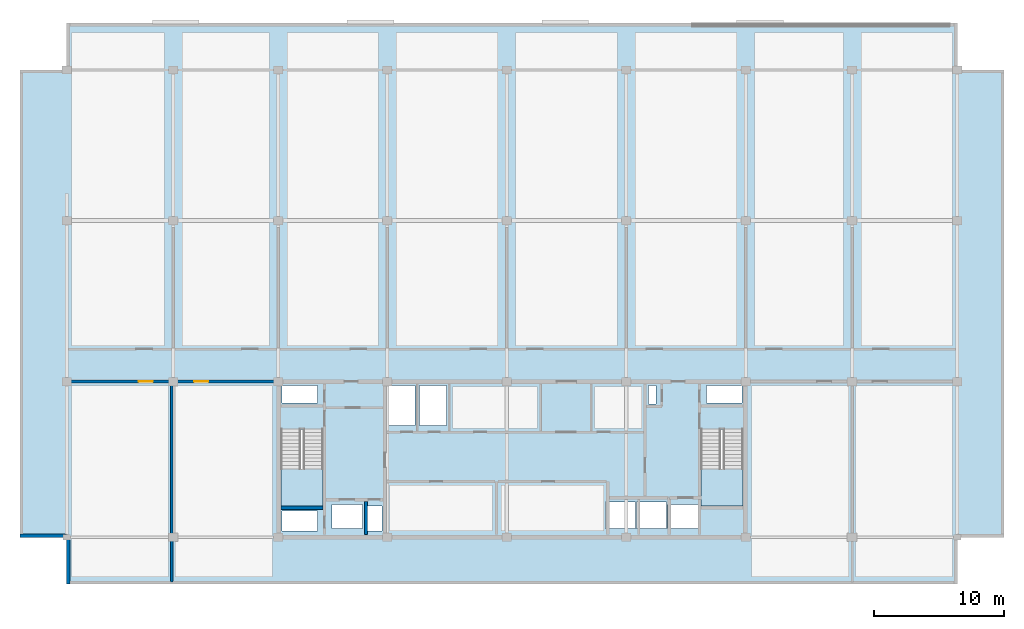
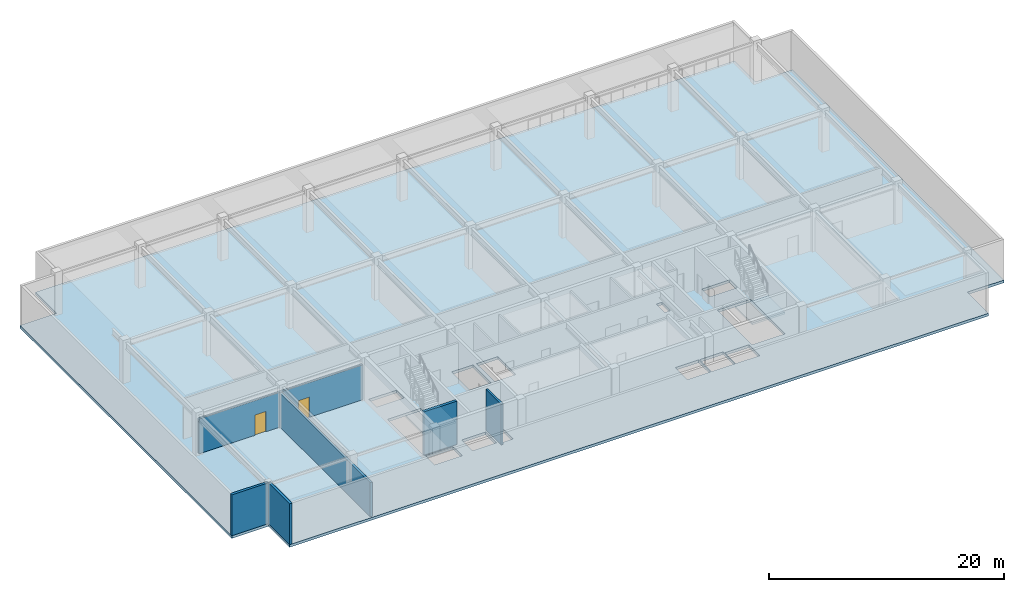
# One storey, part 2 of 9: 6 walls, 3 slabs, 2 doors, 2 openings, 2 elements without a shape of their own.
"""IFC4 building model written with IfcOpenShell, lengths in metres."""

from ifc_helpers import new_model, si_unit, direction, frame, frame_2d, origin, place, context, subcontext, project, spatial, polyline, rectangle, outline, extrude, material, layer, layer_set, type_object, element, fill, aggregate, save


model = new_model("IFC4")

# Units and contexts
model_context = context("Model", 3, precision=1e-05, world=origin(), true_north=direction((0.0, 1.0)))
body_context = subcontext(model_context, "Body", "Model", "MODEL_VIEW")
ifc_project = project(units=[si_unit("LENGTHUNIT", "METRE"), si_unit("AREAUNIT", "SQUARE_METRE"), si_unit("VOLUMEUNIT", "CUBIC_METRE"), si_unit("PLANEANGLEUNIT", "RADIAN"), si_unit("MASSUNIT", "GRAM", prefix="KILO")], contexts=[model_context])

# Site, building, storey
site_placement = place(None, origin())
site = spatial("IfcSite", under=ifc_project, at=site_placement, CompositionType="ELEMENT")
building_placement = place(site_placement, origin())
building = spatial("IfcBuilding", under=site, at=building_placement, Name="Korimba Cascade Residences", CompositionType="ELEMENT")
storey_placement = place(building_placement, frame((0.0, 0.0, 259.699951171875)))
storey = spatial("IfcBuildingStorey", under=building, at=storey_placement, Name="L75", CompositionType="ELEMENT", Elevation=259.699951171875)

# Stair, slab
ifc_material_1 = material(Name="Concrete C50/60", Category="concrete")
stair_type_1 = type_object("IfcStairType", Name="STR-W1-24R-1875", PredefinedType="HALF_TURN_STAIR", material=ifc_material_1)
stair_1_placement = place(storey_placement, origin())
stair_1 = element("IfcStair", 1, at=stair_1_placement, inside=storey, type_object=stair_type_1, Name="L75 Tower 1 West Fire Stair ST-W1", PredefinedType="HALF_TURN_STAIR")
ifc_layer_1 = layer(ifc_material_1, 0.199951171875)
ifc_layer_set_1 = layer_set([ifc_layer_1], Name="Concrete C50/60")
slab_type_1 = type_object("IfcSlabType", Name="SLB-LND-220", PredefinedType="LANDING", material=ifc_layer_set_1)
slab_1_placement = place(storey_placement, frame((0.0, 0.0, 2.050048828125)))
slab_1 = element("IfcSlab", 2, at=slab_1_placement, type_object=slab_type_1, Name="ST-W1 landing 1", PredefinedType="LANDING", context=body_context, shape_type="SweptSolid", body=[
    extrude(outline(polyline([(76.300048828125, 60.469970703125), (76.300048828125, 57.60009765625), (79.5400390625, 57.60009765625), (79.5400390625, 60.469970703125), (76.300048828125, 60.469970703125)])), origin(), (0.0, 0.0, 1.0), 0.199951171875),
])
aggregate(stair_1, [slab_1])

stair_type_2 = type_object("IfcStairType", Name="STR-W2-24R-1875", PredefinedType="HALF_TURN_STAIR", material=ifc_material_1)
stair_2_placement = place(storey_placement, origin())
stair_2 = element("IfcStair", 3, at=stair_2_placement, inside=storey, type_object=stair_type_2, Name="L75 Tower 1 East Fire Stair ST-W2", PredefinedType="HALF_TURN_STAIR")
slab_2_placement = place(storey_placement, frame((0.0, 0.0, 2.050048828125)))
slab_2 = element("IfcSlab", 4, at=slab_2_placement, type_object=slab_type_1, Name="ST-W2 landing 1", PredefinedType="LANDING", context=body_context, shape_type="SweptSolid", body=[
    extrude(outline(polyline([(108.659912109375, 60.469970703125), (108.659912109375, 57.60009765625), (111.89990234375, 57.60009765625), (111.89990234375, 60.469970703125), (108.659912109375, 60.469970703125)])), origin(), (0.0, 0.0, 1.0), 0.199951171875),
])
aggregate(stair_2, [slab_2])

# Slab
ifc_layer_2 = layer(ifc_material_1, 0.280029296875)
ifc_layer_set_2 = layer_set([ifc_layer_2], Name="Concrete C50/60")
slab_type_2 = type_object("IfcSlabType", Name="SLB-REF-280", PredefinedType="FLOOR", material=ifc_layer_set_2)
slab_3_placement = place(storey_placement, frame((0.0, 0.0, -0.280029296875)))
element("IfcSlab", 5, at=slab_3_placement, inside=storey, type_object=slab_type_2, Name="L75 Tower 1 Floor Slab", PredefinedType="FLOOR", context=body_context, shape_type="SweptSolid", body=[
    extrude(outline(polyline([(59.800048828125, 51.60009765625), (128.39990234375, 51.60009765625), (128.39990234375, 55.199951171875), (132.0, 55.199951171875), (132.0, 91.199951171875), (128.39990234375, 91.199951171875), (128.39990234375, 94.800048828125), (59.800048828125, 94.800048828125), (59.800048828125, 91.199951171875), (56.199951171875, 91.199951171875), (56.199951171875, 55.199951171875), (59.800048828125, 55.199951171875), (59.800048828125, 51.60009765625)]), holes=[polyline([(76.300048828125, 63.514892578125), (76.300048828125, 57.60009765625), (79.5400390625, 57.60009765625), (79.5400390625, 63.514892578125), (76.300048828125, 63.514892578125)]), polyline([(108.659912109375, 63.514892578125), (108.659912109375, 57.60009765625), (111.89990234375, 57.60009765625), (111.89990234375, 63.514892578125), (108.659912109375, 63.514892578125)]), polyline([(80.22998046875, 55.8798828125), (82.570068359375, 55.8798828125), (82.570068359375, 57.719970703125), (80.22998046875, 57.719970703125), (80.22998046875, 55.8798828125)]), polyline([(106.080078125, 55.8798828125), (108.419921875, 55.8798828125), (108.419921875, 57.719970703125), (106.080078125, 57.719970703125), (106.080078125, 55.8798828125)]), polyline([(101.304931640625, 55.8798828125), (103.594970703125, 55.8798828125), (103.594970703125, 57.919921875), (101.304931640625, 57.919921875), (101.304931640625, 55.8798828125)]), polyline([(103.705078125, 55.8798828125), (105.9951171875, 55.8798828125), (105.9951171875, 57.919921875), (103.705078125, 57.919921875), (103.705078125, 55.8798828125)]), polyline([(82.97998046875, 55.679931640625), (84.080078125, 55.679931640625), (84.080078125, 57.6201171875), (82.97998046875, 57.6201171875), (82.97998046875, 55.679931640625)]), polyline([(76.39990234375, 65.56005859375), (79.10009765625, 65.56005859375), (79.10009765625, 66.8798828125), (76.39990234375, 66.8798828125), (76.39990234375, 65.56005859375)]), polyline([(76.39990234375, 55.679931640625), (79.10009765625, 55.679931640625), (79.10009765625, 57.239990234375), (76.39990234375, 57.239990234375), (76.39990234375, 55.679931640625)]), polyline([(84.530029296875, 63.820068359375), (86.6201171875, 63.820068359375), (86.6201171875, 66.8798828125), (84.530029296875, 66.8798828125), (84.530029296875, 63.820068359375)]), polyline([(86.97998046875, 63.820068359375), (89.070068359375, 63.820068359375), (89.070068359375, 66.8798828125), (86.97998046875, 66.8798828125), (86.97998046875, 63.820068359375)]), polyline([(104.6201171875, 65.4599609375), (105.179931640625, 65.4599609375), (105.179931640625, 66.8798828125), (104.6201171875, 66.8798828125), (104.6201171875, 65.4599609375)]), polyline([(109.080078125, 65.56005859375), (111.800048828125, 65.56005859375), (111.800048828125, 66.8798828125), (109.080078125, 66.8798828125), (109.080078125, 65.56005859375)])]), origin(), (0.0, 0.0, 1.0), 0.280029296875),
])

# Walls
ifc_material_2 = material(Name="Precast concrete C40/50", Category="concrete")
ifc_layer_3 = layer(ifc_material_2, 0.25)
ifc_layer_set_3 = layer_set([ifc_layer_3], Name="Precast concrete C40/50")
wall_type_1 = type_object("IfcWallType", Name="EW-PLNT-250", PredefinedType="SHEAR", material=ifc_layer_set_3)
wall_1_placement = place(storey_placement, frame((56.199951171875, 55.324951171875, 0.0), z_axis=(0.0, 0.0, 1.0), x_axis=(1.0, 0.0, 0.0)))
element("IfcWall", 6, at=wall_1_placement, inside=storey, type_object=wall_type_1, Name="L75 T1 Perimeter Stone Wall E10", PredefinedType="SHEAR", context=body_context, shape_type="SweptSolid", body=[
    extrude(rectangle(XDim=3.60009765625, YDim=0.25, at=frame_2d((1.800048828125, 0.0))), origin(), (0.0, 0.0, 1.0), 4.22998046875),
])
wall_2_placement = place(storey_placement, frame((59.925048828125, 55.199951171875, 0.0), z_axis=(0.0, 0.0, 1.0), x_axis=(0.0, -1.0, 0.0)))
element("IfcWall", 7, at=wall_2_placement, inside=storey, type_object=wall_type_1, Name="L75 T1 Perimeter Stone Wall E11", PredefinedType="SHEAR", context=body_context, shape_type="SweptSolid", body=[
    extrude(rectangle(XDim=3.599853515625, YDim=0.25, at=frame_2d((1.7998046875, 0.0))), origin(), (0.0, 0.0, 1.0), 4.22998046875),
])
ifc_material_3 = material(Name="Concrete C40/50", Category="concrete")
ifc_layer_4 = layer(ifc_material_3, 0.199951171875)
ifc_layer_set_4 = layer_set([ifc_layer_4], Name="Concrete C40/50")
wall_type_2 = type_object("IfcWallType", Name="WAL-PART-200", PredefinedType="PARTITIONING", material=ifc_layer_set_4)
wall_3_placement = place(storey_placement, frame((82.85009765625, 55.39990234375, 0.0), z_axis=(0.0, 0.0, 1.0), x_axis=(0.0, 1.0, 0.0)))
element("IfcWall", 8, at=wall_3_placement, inside=storey, type_object=wall_type_2, Name="L75 Partition Wall CW-L75-T1-FFLDIV", PredefinedType="PARTITIONING", context=body_context, shape_type="SweptSolid", body=[
    extrude(rectangle(XDim=2.56005859375, YDim=0.199951171875, at=frame_2d((1.280029296875, 0.0))), origin(), (0.0, 0.0, 1.0), 4.22998046875),
])
wall_4_placement = place(storey_placement, frame((67.89990234375, 51.75, 0.0), z_axis=(0.0, 0.0, 1.0), x_axis=(0.0, 1.0, 0.0)))
element("IfcWall", 9, at=wall_4_placement, inside=storey, type_object=wall_type_2, Name="L75 Partition Wall WAL-L75-T1-RWWV", PredefinedType="PARTITIONING", context=body_context, shape_type="SweptSolid", body=[
    extrude(rectangle(XDim=15.39990234375, YDim=0.199951171875, at=frame_2d((7.699951171875, 0.0))), origin(), (0.0, 0.0, 1.0), 3.537109375),
])

# Wall, openings, doors
wall_5_placement = place(storey_placement, frame((59.85009765625, 67.199951171875, 0.0), z_axis=(0.0, 0.0, 1.0), x_axis=(1.0, 0.0, 0.0)))
wall_5 = element("IfcWall", 10, at=wall_5_placement, inside=storey, type_object=wall_type_2, Name="L75 Partition Wall WAL-L75-T1-RWWN", PredefinedType="PARTITIONING", context=body_context, shape_type="SweptSolid", body=[
    extrude(rectangle(XDim=16.099853515625, YDim=0.199951171875, at=frame_2d((8.0498046875, 0.0))), origin(), (0.0, 0.0, 1.0), 3.60986328125),
])
opening_1_placement = place(wall_5_placement, frame((5.47900390625, 0.0, 0.0)))
opening_1 = element("IfcOpeningElement", 11, at=opening_1_placement, cuts=wall_5, Name="Opening D-FD1", PredefinedType="OPENING", context=body_context, shape_type="SweptSolid", body=[
    extrude(rectangle(XDim=1.10009765625, YDim=2.10009765625, at=frame_2d((0.550048828125, 1.050048828125))), frame((0.0, 0.10986328125, 0.0), z_axis=(0.0, -1.0, 0.0), x_axis=(1.0, 0.0, 0.0)), (0.0, 0.0, 1.0), 0.219970703125),
])
opening_2_placement = place(wall_5_placement, frame((9.77001953125, 0.0, 0.0)))
opening_2 = element("IfcOpeningElement", 12, at=opening_2_placement, cuts=wall_5, Name="Opening D-FD1", PredefinedType="OPENING", context=body_context, shape_type="SweptSolid", body=[
    extrude(rectangle(XDim=1.10009765625, YDim=2.10009765625, at=frame_2d((0.550048828125, 1.050048828125))), frame((0.0, 0.10986328125, 0.0), z_axis=(0.0, -1.0, 0.0), x_axis=(1.0, 0.0, 0.0)), (0.0, 0.0, 1.0), 0.219970703125),
])
ifc_material_4 = material(Name="Fire-Rated Steel Core Door", Category="steel")
door_type = type_object("IfcDoorType", Name="DR-FD120-1100", OperationType="NOTDEFINED", PredefinedType="DOOR", material=ifc_material_4)
door_1_placement = place(opening_1_placement, origin())
door_1 = element("IfcDoor", 13, at=door_1_placement, inside=storey, type_object=door_type, Name="L75 W Tank Plant Door", OperationType="SINGLE_SWING_RIGHT", OverallHeight=2.10009765625, OverallWidth=1.10009765625, PredefinedType="DOOR", context=body_context, shape_type="SweptSolid", body=[
    extrude(rectangle(XDim=1.10009765625, YDim=2.10009765625, at=frame_2d((0.550048828125, 1.050048828125))), frame((0.0, 0.02490234375, 0.0), z_axis=(0.0, -1.0, 0.0), x_axis=(1.0, 0.0, 0.0)), (0.0, 0.0, 1.0), 0.050048828125),
])
fill(opening_1, door_1)
door_2_placement = place(opening_2_placement, origin())
door_2 = element("IfcDoor", 14, at=door_2_placement, inside=storey, type_object=door_type, Name="L75 W Switchroom Door", OperationType="SINGLE_SWING_LEFT", OverallHeight=2.10009765625, OverallWidth=1.10009765625, PredefinedType="DOOR", context=body_context, shape_type="SweptSolid", body=[
    extrude(rectangle(XDim=1.10009765625, YDim=2.10009765625, at=frame_2d((0.550048828125, 1.050048828125))), frame((0.0, 0.02490234375, 0.0), z_axis=(0.0, -1.0, 0.0), x_axis=(1.0, 0.0, 0.0)), (0.0, 0.0, 1.0), 0.050048828125),
])
fill(opening_2, door_2)

# Wall
ifc_layer_5 = layer(ifc_material_1, 0.25)
ifc_layer_set_5 = layer_set([ifc_layer_5], Name="Concrete C50/60")
wall_type_3 = type_object("IfcWallType", Name="WAL-SHAFT-250", PredefinedType="SHEAR", material=ifc_layer_set_5)
wall_6_placement = place(storey_placement, frame((76.300048828125, 57.47509765625, 0.0), z_axis=(0.0, 0.0, 1.0), x_axis=(1.0, 0.0, 0.0)))
element("IfcWall", 15, at=wall_6_placement, inside=storey, type_object=wall_type_3, Name="L75 Core Shear Wall CW-L75-T1-STW1S", PredefinedType="SHEAR", context=body_context, shape_type="SweptSolid", body=[
    extrude(rectangle(XDim=3.239990234375, YDim=0.25, at=frame_2d((1.6201171875, 0.0))), origin(), (0.0, 0.0, 1.0), 4.5),
])

save(model, "model.ifc")
